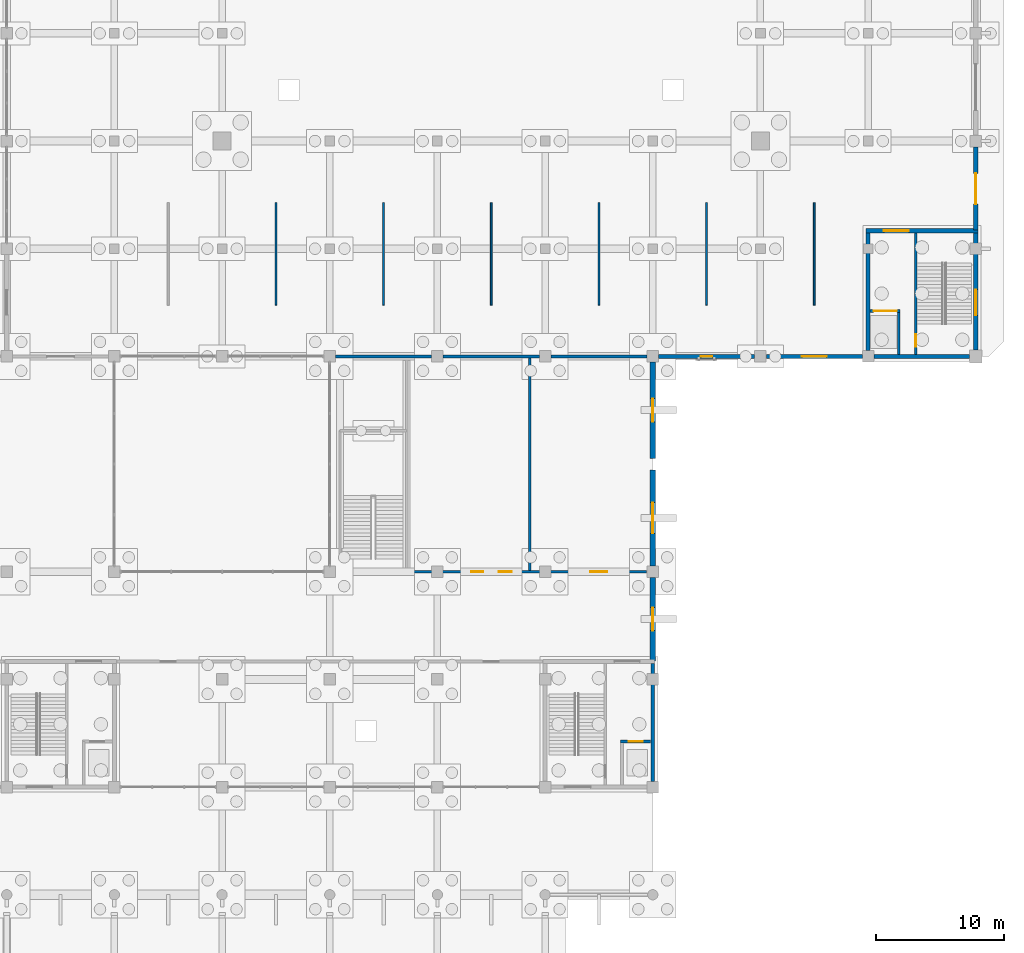
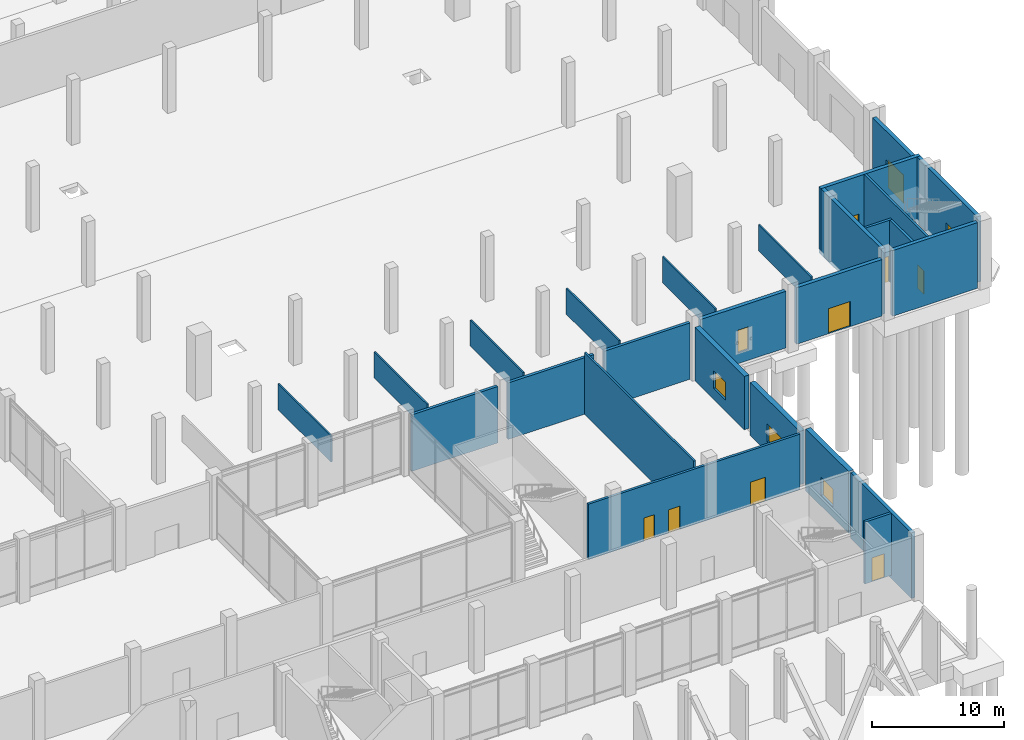
# One storey, part 58 of 72: 26 walls, 10 doors, 4 windows, 14 openings.
"""IFC4 building model written with IfcOpenShell, lengths in metres."""

from ifc_helpers import new_model, si_unit, direction, frame, frame_2d, origin, place, context, subcontext, project, spatial, rectangle, extrude, material, layer, layer_set, type_object, element, fill, save


model = new_model("IFC4")

# Units and contexts
model_context = context("Model", 3, precision=1e-05, world=origin(), true_north=direction((0.0, 1.0)))
body_context = subcontext(model_context, "Body", "Model", "MODEL_VIEW")
ifc_project = project(units=[si_unit("LENGTHUNIT", "METRE"), si_unit("AREAUNIT", "SQUARE_METRE"), si_unit("VOLUMEUNIT", "CUBIC_METRE"), si_unit("PLANEANGLEUNIT", "RADIAN"), si_unit("MASSUNIT", "GRAM", prefix="KILO")], contexts=[model_context])

# Site, building, storey
site_placement = place(None, origin())
site = spatial("IfcSite", under=ifc_project, at=site_placement, CompositionType="ELEMENT")
building_placement = place(site_placement, origin())
building = spatial("IfcBuilding", under=site, at=building_placement, Name="Qawsi Khor Wholesale Market", CompositionType="ELEMENT")
storey_placement = place(building_placement, origin())
storey = spatial("IfcBuildingStorey", under=building, at=storey_placement, Name="L00", CompositionType="ELEMENT", Elevation=0.0)

# Wall
ifc_material_1 = material(Name="Concrete C40/50", Category="concrete")
ifc_layer_1 = layer(ifc_material_1, 0.300048828125, Name="Concrete C40/50")
ifc_layer_set_1 = layer_set([ifc_layer_1], Name="Concrete C40/50")
wall_type_1 = type_object("IfcWallType", Name="Core Shear Wall RC 300 C40/50", PredefinedType="SHEAR", material=ifc_layer_set_1)
wall_1_placement = place(storey_placement, frame((193.199951171875, 18.050048828125, -0.360107421875), z_axis=(0.0, 0.0, 1.0), x_axis=(0.0, -1.0, 0.0)))
element("IfcWall", 1, at=wall_1_placement, inside=storey, type_object=wall_type_1, Name="Core C06 east shear wall L00", PredefinedType="SHEAR", context=body_context, shape_type="SweptSolid", body=[
    extrude(rectangle(XDim=9.195068359375, YDim=0.300048828125, at=frame_2d((4.59765625, 0.0))), origin(), (0.0, 0.0, 1.0), 6.080078125),
])

# Wall, openings, doors
ifc_material_2 = material(Name="Gypsum Fireboard on Steel Stud", Category="steel")
ifc_layer_2 = layer(ifc_material_2, 0.2099609375, Name="Gypsum Fireboard on Steel Stud")
ifc_layer_set_2 = layer_set([ifc_layer_2], Name="Gypsum Fireboard on Steel Stud")
wall_type_2 = type_object("IfcWallType", Name="Corridor Fire Partition Wall 210", PredefinedType="PARTITIONING", material=ifc_layer_set_2)
wall_2_placement = place(storey_placement, frame((174.199951171875, 25.199951171875, 0.0), z_axis=(0.0, 0.0, 1.0), x_axis=(1.0, 0.0, 0.0)))
wall_2 = element("IfcWall", 2, at=wall_2_placement, inside=storey, type_object=wall_type_2, Name="PW-L00-036", PredefinedType="PARTITIONING", context=body_context, shape_type="SweptSolid", body=[
    extrude(rectangle(XDim=18.5, YDim=0.2099609375, at=frame_2d((9.25, 0.0))), origin(), (0.0, 0.0, 1.0), 5.1298828125),
])
opening_1_placement = place(wall_2_placement, frame((4.840087890625, 0.0, 0.0)))
opening_1 = element("IfcOpeningElement", 3, at=opening_1_placement, cuts=wall_2, Name="Opening ID-11", PredefinedType="OPENING", context=body_context, shape_type="SweptSolid", body=[
    extrude(rectangle(XDim=0.919921875, YDim=2.139892578125, at=frame_2d((0.4599609375, 1.06982421875))), frame((0.0, 0.114990234375, 0.0), z_axis=(0.0, -1.0, 0.0), x_axis=(1.0, 0.0, 0.0)), (0.0, 0.0, 1.0), 0.22998046875),
])
opening_2_placement = place(wall_2_placement, frame((6.985107421875, 0.0, 0.0)))
opening_2 = element("IfcOpeningElement", 4, at=opening_2_placement, cuts=wall_2, Name="Opening ID-12", PredefinedType="OPENING", context=body_context, shape_type="SweptSolid", body=[
    extrude(rectangle(XDim=1.030029296875, YDim=2.14990234375, at=frame_2d((0.51513671875, 1.074951171875))), frame((0.0, 0.114990234375, 0.0), z_axis=(0.0, -1.0, 0.0), x_axis=(1.0, 0.0, 0.0)), (0.0, 0.0, 1.0), 0.22998046875),
])
opening_3_placement = place(wall_2_placement, frame((14.139892578125, 0.0, 0.0)))
opening_3 = element("IfcOpeningElement", 5, at=opening_3_placement, cuts=wall_2, Name="Opening ID-13", PredefinedType="OPENING", context=body_context, shape_type="SweptSolid", body=[
    extrude(rectangle(XDim=1.320068359375, YDim=2.199951171875, at=frame_2d((0.66015625, 1.10009765625))), frame((0.0, 0.114990234375, 0.0), z_axis=(0.0, -1.0, 0.0), x_axis=(1.0, 0.0, 0.0)), (0.0, 0.0, 1.0), 0.22998046875),
])
ifc_material_3 = material(Name="High-Pressure Laminate", Category="steel")
door_type_1 = type_object("IfcDoorType", Name="Accessible WC Door 1030x2150", OperationType="NOTDEFINED", PredefinedType="DOOR", material=ifc_material_3)
door_1_placement = place(opening_2_placement, origin())
door_1 = element("IfcDoor", 6, at=door_1_placement, inside=storey, type_object=door_type_1, Name="Accessible WC Door 1030x2150 L00-043", OperationType="SINGLE_SWING_RIGHT", OverallHeight=2.14990234375, OverallWidth=1.030029296875, PredefinedType="DOOR", context=body_context, shape_type="SweptSolid", body=[
    extrude(rectangle(XDim=1.030029296875, YDim=2.14990234375, at=frame_2d((0.51513671875, 1.074951171875))), frame((0.0, 0.02490234375, 0.0), z_axis=(0.0, -1.0, 0.0), x_axis=(1.0, 0.0, 0.0)), (0.0, 0.0, 1.0), 0.050048828125),
])
fill(opening_2, door_1)
ifc_material_4 = material(Name="Galvanised Steel Fire Door", Category="steel")
door_type_2 = type_object("IfcDoorType", Name="Plant & Riser Fire Door 1320x2200 FD90S", OperationType="NOTDEFINED", PredefinedType="DOOR", material=ifc_material_4)
door_2_placement = place(opening_3_placement, origin())
door_2 = element("IfcDoor", 7, at=door_2_placement, inside=storey, type_object=door_type_2, Name="Plant & Riser Fire Door 1320x2200 FD90S L00-044", OperationType="SINGLE_SWING_RIGHT", OverallHeight=2.199951171875, OverallWidth=1.320068359375, PredefinedType="DOOR", context=body_context, shape_type="SweptSolid", body=[
    extrude(rectangle(XDim=1.320068359375, YDim=2.199951171875, at=frame_2d((0.66015625, 1.10009765625))), frame((0.0, 0.02490234375, 0.0), z_axis=(0.0, -1.0, 0.0), x_axis=(1.0, 0.0, 0.0)), (0.0, 0.0, 1.0), 0.050048828125),
])
fill(opening_3, door_2)
door_type_3 = type_object("IfcDoorType", Name="Public Toilet Entrance Door 920x2140", OperationType="NOTDEFINED", PredefinedType="DOOR", material=ifc_material_3)
door_3_placement = place(opening_1_placement, origin())
door_3 = element("IfcDoor", 8, at=door_3_placement, inside=storey, type_object=door_type_3, Name="Public Toilet Entrance Door 920x2140 L00-042", OperationType="SINGLE_SWING_LEFT", OverallHeight=2.139892578125, OverallWidth=0.919921875, PredefinedType="DOOR", context=body_context, shape_type="SweptSolid", body=[
    extrude(rectangle(XDim=0.919921875, YDim=2.139892578125, at=frame_2d((0.4599609375, 1.06982421875))), frame((0.0, 0.02490234375, 0.0), z_axis=(0.0, -1.0, 0.0), x_axis=(1.0, 0.0, 0.0)), (0.0, 0.0, 1.0), 0.050048828125),
])
fill(opening_1, door_3)

# Walls
ifc_material_5 = material(Name="Concrete Blockwork & Plaster", Category="masonry")
ifc_layer_3 = layer(ifc_material_5, 0.25, Name="Concrete Blockwork & Plaster")
ifc_layer_set_3 = layer_set([ifc_layer_3], Name="Concrete Blockwork & Plaster")
wall_type_3 = type_object("IfcWallType", Name="Fire Compartment Masonry Wall 250", PredefinedType="SOLIDWALL", material=ifc_layer_set_3)
for number, where, z_axis, x_axis, name in (
    (9, (168.449951171875, 42.0, 0.0), (0.0, 0.0, 1.0), (1.0, 0.0, 0.0), "Grid F fire compartment wall L00-20"),
    (10, (176.85009765625, 42.0, 0.0), (0.0, 0.0, 1.0), (1.0, 0.0, 0.0), "Grid F fire compartment wall L00-21"),
    (11, (185.25, 42.0, 0.0), (0.0, 0.0, 1.0), (1.0, 0.0, 0.0), "Grid F fire compartment wall L00-22"),
):
    element("IfcWall", number, at=place(storey_placement, frame(where, z_axis=z_axis, x_axis=x_axis)), inside=storey, type_object=wall_type_3, Name=name, PredefinedType="SOLIDWALL", context=body_context, shape_type="SweptSolid", body=[
        extrude(rectangle(XDim=7.5, YDim=0.25, at=frame_2d((3.75, 0.0))), origin(), (0.0, 0.0, 1.0), 5.219970703125),
    ])

# Wall, opening, door
ifc_layer_4 = layer(ifc_material_1, 0.330078125, Name="Concrete C40/50")
ifc_layer_set_4 = layer_set([ifc_layer_4], Name="Concrete C40/50")
wall_type_4 = type_object("IfcWallType", Name="Fish Hall Precast Insulated Wall 330", PredefinedType="SOLIDWALL", material=ifc_layer_set_4)
wall_3_placement = place(storey_placement, frame((218.39990234375, 58.344970703125, 0.0), z_axis=(0.0, 0.0, 1.0), x_axis=(0.0, -1.0, 0.0)))
wall_3 = element("IfcWall", 12, at=wall_3_placement, inside=storey, type_object=wall_type_4, Name="EW-L00-EHE-06", PredefinedType="SOLIDWALL", context=body_context, shape_type="SweptSolid", body=[
    extrude(rectangle(XDim=6.494873046875, YDim=0.330078125, at=frame_2d((3.24755859375, 0.0))), origin(), (0.0, 0.0, 1.0), 5.280029296875),
])
opening_4_placement = place(wall_3_placement, frame((2.06005859375, 0.0, 0.0)))
opening_4 = element("IfcOpeningElement", 13, at=opening_4_placement, cuts=wall_3, Name="Opening ED-01", PredefinedType="OPENING", context=body_context, shape_type="SweptSolid", body=[
    extrude(rectangle(XDim=2.39990234375, YDim=2.60009765625, at=frame_2d((1.199951171875, 1.300048828125))), frame((0.0, 0.175048828125, 0.0), z_axis=(0.0, -1.0, 0.0), x_axis=(1.0, 0.0, 0.0)), (0.0, 0.0, 1.0), 0.35009765625),
])
ifc_material_6 = material(Name="Powder-Coated Galvanised Steel & Glazing", Category="steel")
door_type_4 = type_object("IfcDoorType", Name="Main Boulevard Entrance Double Door 2400x2600", OperationType="NOTDEFINED", PredefinedType="DOOR", material=ifc_material_6)
door_4_placement = place(opening_4_placement, origin())
door_4 = element("IfcDoor", 14, at=door_4_placement, inside=storey, type_object=door_type_4, Name="Fish Hall East Exit 6", OperationType="DOUBLE_DOOR_SINGLE_SWING", OverallHeight=2.60009765625, OverallWidth=2.39990234375, PredefinedType="DOOR", context=body_context, shape_type="SweptSolid", body=[
    extrude(rectangle(XDim=2.39990234375, YDim=2.60009765625, at=frame_2d((1.199951171875, 1.300048828125))), frame((0.0, 0.02490234375, 0.0), z_axis=(0.0, -1.0, 0.0), x_axis=(1.0, 0.0, 0.0)), (0.0, 0.0, 1.0), 0.050048828125),
])
fill(opening_4, door_4)

# Wall, opening, window
wall_4_placement = place(storey_placement, frame((201.14501953125, 42.0, 0.0), z_axis=(0.0, 0.0, 1.0), x_axis=(-1.0, 0.0, 0.0)))
wall_4 = element("IfcWall", 15, at=wall_4_placement, inside=storey, type_object=wall_type_4, Name="EW-L00-EHS-23", PredefinedType="SOLIDWALL", context=body_context, shape_type="SweptSolid", body=[
    extrude(rectangle(XDim=7.489990234375, YDim=0.330078125, at=frame_2d((3.7451171875, 0.0))), origin(), (0.0, 0.0, 1.0), 5.22998046875),
])
opening_5_placement = place(wall_4_placement, frame((3.294921875, 0.0, 1.0)))
opening_5 = element("IfcOpeningElement", 16, at=opening_5_placement, cuts=wall_4, Name="Opening W-02", PredefinedType="OPENING", context=body_context, shape_type="SweptSolid", body=[
    extrude(rectangle(XDim=0.89990234375, YDim=2.10009765625, at=frame_2d((0.449951171875, 1.050048828125))), frame((0.0, 0.175048828125, 0.0), z_axis=(0.0, -1.0, 0.0), x_axis=(1.0, 0.0, 0.0)), (0.0, 0.0, 1.0), 0.35009765625),
])
ifc_material_7 = material(Name="Thermally Broken Aluminium & Low-E Glass", Category="aluminium")
window_type_1 = type_object("IfcWindowType", Name="Win W-02 Deep-Set Narrow 900x2100", PartitioningType="SINGLE_PANEL", PredefinedType="WINDOW", material=ifc_material_7)
window_1_placement = place(opening_5_placement, origin())
window_1 = element("IfcWindow", 17, at=window_1_placement, inside=storey, type_object=window_type_1, Name="Win W-02 Deep-Set Narrow 900x2100 180", OverallHeight=2.10009765625, OverallWidth=0.89990234375, PartitioningType="SINGLE_PANEL", PredefinedType="WINDOW", context=body_context, shape_type="SweptSolid", body=[
    extrude(rectangle(XDim=0.89990234375, YDim=2.10009765625, at=frame_2d((0.449951171875, 1.050048828125))), frame((0.0, 0.030029296875, 0.0), z_axis=(0.0, -1.0, 0.0), x_axis=(1.0, 0.0, 0.0)), (0.0, 0.0, 1.0), 0.06005859375),
])
fill(opening_5, window_1)

# Wall, opening, door
wall_5_placement = place(storey_placement, frame((209.544921875, 42.0, 0.0), z_axis=(0.0, 0.0, 1.0), x_axis=(-1.0, 0.0, 0.0)))
wall_5 = element("IfcWall", 18, at=wall_5_placement, inside=storey, type_object=wall_type_4, Name="EW-L00-EHS-24", PredefinedType="SOLIDWALL", context=body_context, shape_type="SweptSolid", body=[
    extrude(rectangle(XDim=7.489990234375, YDim=0.330078125, at=frame_2d((3.7451171875, 0.0))), origin(), (0.0, 0.0, 1.0), 5.22998046875),
])
opening_6_placement = place(wall_5_placement, frame((2.784912109375, 0.0, 0.0)))
opening_6 = element("IfcOpeningElement", 19, at=opening_6_placement, cuts=wall_5, Name="Opening ED-07", PredefinedType="OPENING", context=body_context, shape_type="SweptSolid", body=[
    extrude(rectangle(XDim=1.919921875, YDim=2.320068359375, at=frame_2d((0.9599609375, 1.16015625))), frame((0.0, 0.175048828125, 0.0), z_axis=(0.0, -1.0, 0.0), x_axis=(1.0, 0.0, 0.0)), (0.0, 0.0, 1.0), 0.35009765625),
])
door_type_5 = type_object("IfcDoorType", Name="Hall Ground Personnel Exit Door 1920x2320 FD60S", OperationType="NOTDEFINED", PredefinedType="DOOR", material=ifc_material_6)
door_5_placement = place(opening_6_placement, origin())
door_5 = element("IfcDoor", 20, at=door_5_placement, inside=storey, type_object=door_type_5, Name="East Hall South Exit", OperationType="DOUBLE_DOOR_SINGLE_SWING", OverallHeight=2.320068359375, OverallWidth=1.919921875, PredefinedType="DOOR", context=body_context, shape_type="SweptSolid", body=[
    extrude(rectangle(XDim=1.919921875, YDim=2.320068359375, at=frame_2d((0.9599609375, 1.16015625))), frame((0.0, 0.02490234375, 0.0), z_axis=(0.0, -1.0, 0.0), x_axis=(1.0, 0.0, 0.0)), (0.0, 0.0, 1.0), 0.050048828125),
])
fill(opening_6, door_5)

# Walls
ifc_layer_5 = layer(ifc_material_1, 0.320068359375, Name="Concrete C40/50")
ifc_layer_set_5 = layer_set([ifc_layer_5], Name="Concrete C40/50")
wall_type_5 = type_object("IfcWallType", Name="Hall Lateral Shear Wall RC 320 C40/50", PredefinedType="SHEAR", material=ifc_layer_set_5)
wall_6_placement = place(storey_placement, frame((217.89501953125, 42.0, -0.360107421875), z_axis=(0.0, 0.0, 1.0), x_axis=(-1.0, 0.0, 0.0)))
element("IfcWall", 21, at=wall_6_placement, inside=storey, type_object=wall_type_5, Name="Core C11 south shear wall L00", PredefinedType="SHEAR", context=body_context, shape_type="SweptSolid", body=[
    extrude(rectangle(XDim=7.43994140625, YDim=0.320068359375, at=frame_2d((3.719970703125, 0.0))), origin(), (0.0, 0.0, 1.0), 6.080078125),
])
wall_7_placement = place(storey_placement, frame((210.0, 42.455078125, -0.360107421875), z_axis=(0.0, 0.0, 1.0), x_axis=(0.0, 1.0, 0.0)))
element("IfcWall", 22, at=wall_7_placement, inside=storey, type_object=wall_type_5, Name="Core C11 west shear wall L00", PredefinedType="SHEAR", context=body_context, shape_type="SweptSolid", body=[
    extrude(rectangle(XDim=9.184814453125, YDim=0.320068359375, at=frame_2d((4.59228515625, 0.0))), origin(), (0.0, 0.0, 1.0), 6.080078125),
])

# Wall, opening, door
wall_8_placement = place(storey_placement, frame((209.840087890625, 51.800048828125, -0.360107421875), z_axis=(0.0, 0.0, 1.0), x_axis=(1.0, 0.0, 0.0)))
wall_8 = element("IfcWall", 23, at=wall_8_placement, inside=storey, type_object=wall_type_5, Name="Core C11 north shear wall L00", PredefinedType="SHEAR", context=body_context, shape_type="SweptSolid", body=[
    extrude(rectangle(XDim=8.719970703125, YDim=0.320068359375, at=frame_2d((4.35986328125, 0.0))), origin(), (0.0, 0.0, 1.0), 6.080078125),
])
opening_7_placement = place(wall_8_placement, frame((1.3798828125, 0.0, 0.360107421875)))
opening_7 = element("IfcOpeningElement", 24, at=opening_7_placement, cuts=wall_8, Name="Opening ID-01", PredefinedType="OPENING", context=body_context, shape_type="SweptSolid", body=[
    extrude(rectangle(XDim=1.9599609375, YDim=2.199951171875, at=frame_2d((0.97998046875, 1.10009765625))), frame((0.0, 0.169921875, 0.0), z_axis=(0.0, -1.0, 0.0), x_axis=(1.0, 0.0, 0.0)), (0.0, 0.0, 1.0), 0.340087890625),
])
ifc_material_8 = material(Name="Steel Fire Door", Category="steel")
door_type_6 = type_object("IfcDoorType", Name="Stair & Core Fire Door 1960x2200 FD90S", OperationType="NOTDEFINED", PredefinedType="DOOR", material=ifc_material_8)
door_6_placement = place(opening_7_placement, origin())
door_6 = element("IfcDoor", 25, at=door_6_placement, inside=storey, type_object=door_type_6, Name="Core C11 fire door L00", OperationType="DOUBLE_DOOR_SINGLE_SWING", OverallHeight=2.199951171875, OverallWidth=1.9599609375, PredefinedType="DOOR", context=body_context, shape_type="SweptSolid", body=[
    extrude(rectangle(XDim=1.9599609375, YDim=2.199951171875, at=frame_2d((0.97998046875, 1.10009765625))), frame((0.0, 0.02490234375, 0.0), z_axis=(0.0, -1.0, 0.0), x_axis=(1.0, 0.0, 0.0)), (0.0, 0.0, 1.0), 0.050048828125),
])
fill(opening_7, door_6)

wall_9_placement = place(storey_placement, frame((218.39990234375, 51.639892578125, -0.360107421875), z_axis=(0.0, 0.0, 1.0), x_axis=(0.0, -1.0, 0.0)))
wall_9 = element("IfcWall", 26, at=wall_9_placement, inside=storey, type_object=wall_type_5, Name="Core C11 east shear wall L00", PredefinedType="SHEAR", context=body_context, shape_type="SweptSolid", body=[
    extrude(rectangle(XDim=9.135009765625, YDim=0.320068359375, at=frame_2d((4.5673828125, 0.0))), origin(), (0.0, 0.0, 1.0), 6.080078125),
])
opening_8_placement = place(wall_9_placement, frame((4.43994140625, 0.0, 0.360107421875)))
opening_8 = element("IfcOpeningElement", 27, at=opening_8_placement, cuts=wall_9, Name="Opening ED-06", PredefinedType="OPENING", context=body_context, shape_type="SweptSolid", body=[
    extrude(rectangle(XDim=2.0, YDim=2.280029296875, at=frame_2d((1.0, 1.14013671875))), frame((0.0, 0.169921875, 0.0), z_axis=(0.0, -1.0, 0.0), x_axis=(1.0, 0.0, 0.0)), (0.0, 0.0, 1.0), 0.340087890625),
])
door_type_7 = type_object("IfcDoorType", Name="Final Exit Stair Discharge Door 2000x2280 FD120S", OperationType="NOTDEFINED", PredefinedType="DOOR", material=ifc_material_6)
door_7_placement = place(opening_8_placement, origin())
door_7 = element("IfcDoor", 28, at=door_7_placement, inside=storey, type_object=door_type_7, Name="Final exit stair discharge door ST-11", OperationType="DOUBLE_DOOR_SINGLE_SWING", OverallHeight=2.280029296875, OverallWidth=2.0, PredefinedType="DOOR", context=body_context, shape_type="SweptSolid", body=[
    extrude(rectangle(XDim=2.0, YDim=2.280029296875, at=frame_2d((1.0, 1.14013671875))), frame((0.0, 0.02490234375, 0.0), z_axis=(0.0, -1.0, 0.0), x_axis=(1.0, 0.0, 0.0)), (0.0, 0.0, 1.0), 0.050048828125),
])
fill(opening_8, door_7)

ifc_layer_6 = layer(ifc_material_1, 0.219970703125, Name="Concrete C40/50")
ifc_layer_set_6 = layer_set([ifc_layer_6], Name="Concrete C40/50")
wall_type_6 = type_object("IfcWallType", Name="Lift & Stair Shaft Wall RC 220", PredefinedType="SOLIDWALL", material=ifc_layer_set_6)
wall_10_placement = place(storey_placement, frame((190.699951171875, 11.949951171875, 0.0), z_axis=(0.0, 0.0, 1.0), x_axis=(1.0, 0.0, 0.0)))
wall_10 = element("IfcWall", 29, at=wall_10_placement, inside=storey, type_object=wall_type_6, Name="Lift PL-04 shaft wall N L00", PredefinedType="SOLIDWALL", context=body_context, shape_type="SweptSolid", body=[
    extrude(rectangle(XDim=2.340087890625, YDim=0.219970703125, at=frame_2d((1.169921875, 0.0))), origin(), (0.0, 0.0, 1.0), 5.719970703125),
])
opening_9_placement = place(wall_10_placement, frame((0.6201171875, 0.0, 0.0)))
opening_9 = element("IfcOpeningElement", 30, at=opening_9_placement, cuts=wall_10, Name="Opening LD-P110", PredefinedType="OPENING", context=body_context, shape_type="SweptSolid", body=[
    extrude(rectangle(XDim=1.10009765625, YDim=2.199951171875, at=frame_2d((0.550048828125, 1.10009765625))), frame((0.0, 0.119873046875, 0.0), z_axis=(0.0, -1.0, 0.0), x_axis=(1.0, 0.0, 0.0)), (0.0, 0.0, 1.0), 0.239990234375),
])
ifc_material_9 = material(Name="Brushed Stainless Steel", Category="steel")
door_type_8 = type_object("IfcDoorType", Name="Passenger Lift Landing Sliding Door 1100x2200 FD90S", OperationType="NOTDEFINED", PredefinedType="DOOR", material=ifc_material_9)
door_8_placement = place(opening_9_placement, origin())
door_8 = element("IfcDoor", 31, at=door_8_placement, inside=storey, type_object=door_type_8, Name="Lift PL-04 landing door L00", OperationType="SLIDING_TO_LEFT", OverallHeight=2.199951171875, OverallWidth=1.10009765625, PredefinedType="DOOR", context=body_context, shape_type="SweptSolid", body=[
    extrude(rectangle(XDim=1.10009765625, YDim=2.199951171875, at=frame_2d((0.550048828125, 1.10009765625))), frame((0.0, 0.02490234375, 0.0), z_axis=(0.0, -1.0, 0.0), x_axis=(1.0, 0.0, 0.0)), (0.0, 0.0, 1.0), 0.050048828125),
])
fill(opening_9, door_8)

# Wall
wall_11_placement = place(storey_placement, frame((212.389892578125, 42.159912109375, 0.0), z_axis=(0.0, 0.0, 1.0), x_axis=(0.0, 1.0, 0.0)))
element("IfcWall", 32, at=wall_11_placement, inside=storey, type_object=wall_type_6, Name="Lift GL-03 shaft wall E L00", PredefinedType="SOLIDWALL", context=body_context, shape_type="SweptSolid", body=[
    extrude(rectangle(XDim=3.39013671875, YDim=0.219970703125, at=frame_2d((1.695068359375, 0.0))), origin(), (0.0, 0.0, 1.0), 5.719970703125),
])

# Wall, opening, door
wall_12_placement = place(storey_placement, frame((210.159912109375, 45.550048828125, 0.0), z_axis=(0.0, 0.0, 1.0), x_axis=(1.0, 0.0, 0.0)))
wall_12 = element("IfcWall", 33, at=wall_12_placement, inside=storey, type_object=wall_type_6, Name="Lift GL-03 shaft wall N L00", PredefinedType="SOLIDWALL", context=body_context, shape_type="SweptSolid", body=[
    extrude(rectangle(XDim=2.340087890625, YDim=0.219970703125, at=frame_2d((1.169921875, 0.0))), origin(), (0.0, 0.0, 1.0), 5.719970703125),
])
opening_10_placement = place(wall_12_placement, frame((0.260009765625, 0.0, 0.0)))
opening_10 = element("IfcOpeningElement", 34, at=opening_10_placement, cuts=wall_12, Name="Opening LD-G180", PredefinedType="OPENING", context=body_context, shape_type="SweptSolid", body=[
    extrude(rectangle(XDim=1.820068359375, YDim=2.39990234375, at=frame_2d((0.91015625, 1.199951171875))), frame((0.0, 0.119873046875, 0.0), z_axis=(0.0, -1.0, 0.0), x_axis=(1.0, 0.0, 0.0)), (0.0, 0.0, 1.0), 0.239990234375),
])
ifc_material_10 = material(Name="Heavy-Duty Stainless Steel", Category="steel")
door_type_9 = type_object("IfcDoorType", Name="Goods Lift Landing Sliding Door 1820x2400 FD90S", OperationType="NOTDEFINED", PredefinedType="DOOR", material=ifc_material_10)
door_9_placement = place(opening_10_placement, origin())
door_9 = element("IfcDoor", 35, at=door_9_placement, inside=storey, type_object=door_type_9, Name="Lift GL-03 landing door L00", OperationType="SLIDING_TO_LEFT", OverallHeight=2.39990234375, OverallWidth=1.820068359375, PredefinedType="DOOR", context=body_context, shape_type="SweptSolid", body=[
    extrude(rectangle(XDim=1.820068359375, YDim=2.39990234375, at=frame_2d((0.91015625, 1.199951171875))), frame((0.0, 0.02490234375, 0.0), z_axis=(0.0, -1.0, 0.0), x_axis=(1.0, 0.0, 0.0)), (0.0, 0.0, 1.0), 0.050048828125),
])
fill(opening_10, door_9)

# Walls
ifc_material_11 = material(Name="Precast Terrazzo Concrete C40/50", Category="concrete")
ifc_layer_7 = layer(ifc_material_11, 0.135009765625, Name="Precast Terrazzo Concrete C40/50")
ifc_layer_set_7 = layer_set([ifc_layer_7], Name="Precast Terrazzo Concrete C40/50")
wall_type_7 = type_object("IfcWallType", Name="Market Stall Low Divider Wall 135", PredefinedType="PARTITIONING", material=ifc_layer_set_7)
for number, where, z_axis, x_axis, name in (
    (36, (163.800048828125, 46.0, 0.0), (0.0, 0.0, 1.0), (0.0, 1.0, 0.0), "PW-L00-012"),
    (37, (172.199951171875, 46.0, 0.0), (0.0, 0.0, 1.0), (0.0, 1.0, 0.0), "PW-L00-014"),
    (38, (180.60009765625, 46.0, 0.0), (0.0, 0.0, 1.0), (0.0, 1.0, 0.0), "PW-L00-016"),
    (39, (189.0, 46.0, 0.0), (0.0, 0.0, 1.0), (0.0, 1.0, 0.0), "PW-L00-018"),
    (40, (197.39990234375, 46.0, 0.0), (0.0, 0.0, 1.0), (0.0, 1.0, 0.0), "PW-L00-020"),
    (41, (205.800048828125, 46.0, 0.0), (0.0, 0.0, 1.0), (0.0, 1.0, 0.0), "PW-L00-022"),
):
    element("IfcWall", number, at=place(storey_placement, frame(where, z_axis=z_axis, x_axis=x_axis)), inside=storey, type_object=wall_type_7, Name=name, PredefinedType="PARTITIONING", context=body_context, shape_type="SweptSolid", body=[
        extrude(rectangle(XDim=8.0, YDim=0.135009765625, at=frame_2d((4.0, 0.0))), origin(), (0.0, 0.0, 1.0), 2.39990234375),
    ])

# Wall, opening, window
ifc_layer_8 = layer(ifc_material_1, 0.429931640625, Name="Concrete C40/50")
ifc_layer_set_8 = layer_set([ifc_layer_8], Name="Concrete C40/50")
wall_type_8 = type_object("IfcWallType", Name="Sculpted Ribbed Concrete Facade Wall 430", PredefinedType="SOLIDWALL", material=ifc_layer_set_8)
wall_13_placement = place(storey_placement, frame((193.199951171875, 24.7451171875, 0.0), z_axis=(0.0, 0.0, 1.0), x_axis=(0.0, -1.0, 0.0)))
wall_13 = element("IfcWall", 42, at=wall_13_placement, inside=storey, type_object=wall_type_8, Name="EW-L00-SWE-2", PredefinedType="SOLIDWALL", context=body_context, shape_type="SweptSolid", body=[
    extrude(rectangle(XDim=6.4951171875, YDim=0.429931640625, at=frame_2d((3.24755859375, 0.0))), origin(), (0.0, 0.0, 1.0), 5.719970703125),
])
opening_11_placement = place(wall_13_placement, frame((2.344970703125, 0.0, 1.0)))
opening_11 = element("IfcOpeningElement", 43, at=opening_11_placement, cuts=wall_13, Name="Opening W-05", PredefinedType="OPENING", context=body_context, shape_type="SweptSolid", body=[
    extrude(rectangle(XDim=1.800048828125, YDim=1.64990234375, at=frame_2d((0.89990234375, 0.824951171875))), frame((0.0, 0.224853515625, 0.0), z_axis=(0.0, -1.0, 0.0), x_axis=(1.0, 0.0, 0.0)), (0.0, 0.0, 1.0), 0.449951171875),
])
window_type_2 = type_object("IfcWindowType", Name="Win W-05 Traders Office Double 1800x1650", PartitioningType="SINGLE_PANEL", PredefinedType="WINDOW", material=ifc_material_7)
window_2_placement = place(opening_11_placement, origin())
window_2 = element("IfcWindow", 44, at=window_2_placement, inside=storey, type_object=window_type_2, Name="Win W-05 Traders Office Double 1800x1650 108", OverallHeight=1.64990234375, OverallWidth=1.800048828125, PartitioningType="SINGLE_PANEL", PredefinedType="WINDOW", context=body_context, shape_type="SweptSolid", body=[
    extrude(rectangle(XDim=1.800048828125, YDim=1.64990234375, at=frame_2d((0.89990234375, 0.824951171875))), frame((0.0, 0.030029296875, 0.0), z_axis=(0.0, -1.0, 0.0), x_axis=(1.0, 0.0, 0.0)), (0.0, 0.0, 1.0), 0.06005859375),
])
fill(opening_11, window_2)

wall_14_placement = place(storey_placement, frame((193.199951171875, 33.14990234375, 0.0), z_axis=(0.0, 0.0, 1.0), x_axis=(0.0, -1.0, 0.0)))
wall_14 = element("IfcWall", 45, at=wall_14_placement, inside=storey, type_object=wall_type_8, Name="EW-L00-SWE-3", PredefinedType="SOLIDWALL", context=body_context, shape_type="SweptSolid", body=[
    extrude(rectangle(XDim=7.494873046875, YDim=0.429931640625, at=frame_2d((3.74755859375, 0.0))), origin(), (0.0, 0.0, 1.0), 4.929931640625),
])
opening_12_placement = place(wall_14_placement, frame((2.550048828125, 0.0, 1.0)))
opening_12 = element("IfcOpeningElement", 46, at=opening_12_placement, cuts=wall_14, Name="Opening W-06", PredefinedType="OPENING", context=body_context, shape_type="SweptSolid", body=[
    extrude(rectangle(XDim=2.39990234375, YDim=1.64990234375, at=frame_2d((1.199951171875, 0.824951171875))), frame((0.0, 0.224853515625, 0.0), z_axis=(0.0, -1.0, 0.0), x_axis=(1.0, 0.0, 0.0)), (0.0, 0.0, 1.0), 0.449951171875),
])
window_type_3 = type_object("IfcWindowType", Name="Win W-06 Traders Office Triple 2400x1650", PartitioningType="SINGLE_PANEL", PredefinedType="WINDOW", material=ifc_material_7)
window_3_placement = place(opening_12_placement, origin())
window_3 = element("IfcWindow", 47, at=window_3_placement, inside=storey, type_object=window_type_3, Name="Win W-06 Traders Office Triple 2400x1650 109", OverallHeight=1.64990234375, OverallWidth=2.39990234375, PartitioningType="SINGLE_PANEL", PredefinedType="WINDOW", context=body_context, shape_type="SweptSolid", body=[
    extrude(rectangle(XDim=2.39990234375, YDim=1.64990234375, at=frame_2d((1.199951171875, 0.824951171875))), frame((0.0, 0.030029296875, 0.0), z_axis=(0.0, -1.0, 0.0), x_axis=(1.0, 0.0, 0.0)), (0.0, 0.0, 1.0), 0.06005859375),
])
fill(opening_12, window_3)

wall_15_placement = place(storey_placement, frame((193.199951171875, 41.544921875, 0.0), z_axis=(0.0, 0.0, 1.0), x_axis=(0.0, -1.0, 0.0)))
wall_15 = element("IfcWall", 48, at=wall_15_placement, inside=storey, type_object=wall_type_8, Name="EW-L00-SWE-4", PredefinedType="SOLIDWALL", context=body_context, shape_type="SweptSolid", body=[
    extrude(rectangle(XDim=7.494873046875, YDim=0.429931640625, at=frame_2d((3.74755859375, 0.0))), origin(), (0.0, 0.0, 1.0), 4.929931640625),
])
opening_13_placement = place(wall_15_placement, frame((2.844970703125, 0.0, 1.0)))
opening_13 = element("IfcOpeningElement", 49, at=opening_13_placement, cuts=wall_15, Name="Opening W-05", PredefinedType="OPENING", context=body_context, shape_type="SweptSolid", body=[
    extrude(rectangle(XDim=1.800048828125, YDim=1.64990234375, at=frame_2d((0.89990234375, 0.824951171875))), frame((0.0, 0.224853515625, 0.0), z_axis=(0.0, -1.0, 0.0), x_axis=(1.0, 0.0, 0.0)), (0.0, 0.0, 1.0), 0.449951171875),
])
window_4_placement = place(opening_13_placement, origin())
window_4 = element("IfcWindow", 50, at=window_4_placement, inside=storey, type_object=window_type_2, Name="Win W-05 Traders Office Double 1800x1650 110", OverallHeight=1.64990234375, OverallWidth=1.800048828125, PartitioningType="SINGLE_PANEL", PredefinedType="WINDOW", context=body_context, shape_type="SweptSolid", body=[
    extrude(rectangle(XDim=1.800048828125, YDim=1.64990234375, at=frame_2d((0.89990234375, 0.824951171875))), frame((0.0, 0.030029296875, 0.0), z_axis=(0.0, -1.0, 0.0), x_axis=(1.0, 0.0, 0.0)), (0.0, 0.0, 1.0), 0.06005859375),
])
fill(opening_13, window_4)

# Wall, opening, door
ifc_layer_9 = layer(ifc_material_1, 0.18994140625, Name="Concrete C40/50")
ifc_layer_set_9 = layer_set([ifc_layer_9], Name="Concrete C40/50")
wall_type_9 = type_object("IfcWallType", Name="Stairwell Enclosure Wall RC 190", PredefinedType="SOLIDWALL", material=ifc_layer_set_9)
wall_16_placement = place(storey_placement, frame((213.719970703125, 42.159912109375, -0.360107421875), z_axis=(0.0, 0.0, 1.0), x_axis=(0.0, 1.0, 0.0)))
wall_16 = element("IfcWall", 51, at=wall_16_placement, inside=storey, type_object=wall_type_9, Name="Core C11 stairwell enclosure wall L00", PredefinedType="SOLIDWALL", context=body_context, shape_type="SweptSolid", body=[
    extrude(rectangle(XDim=9.47998046875, YDim=0.18994140625, at=frame_2d((4.739990234375, 0.0))), origin(), (0.0, 0.0, 1.0), 6.080078125),
])
opening_14_placement = place(wall_16_placement, frame((0.580078125, 0.0, 0.360107421875)))
opening_14 = element("IfcOpeningElement", 52, at=opening_14_placement, cuts=wall_16, Name="Opening ID-17", PredefinedType="OPENING", context=body_context, shape_type="SweptSolid", body=[
    extrude(rectangle(XDim=0.97998046875, YDim=2.14990234375, at=frame_2d((0.489990234375, 1.074951171875))), frame((0.0, 0.10498046875, 0.0), z_axis=(0.0, -1.0, 0.0), x_axis=(1.0, 0.0, 0.0)), (0.0, 0.0, 1.0), 0.2099609375),
])
door_type_10 = type_object("IfcDoorType", Name="Core Stair Lobby Fire Door 980x2150 FD120S", OperationType="NOTDEFINED", PredefinedType="DOOR", material=ifc_material_8)
door_10_placement = place(opening_14_placement, origin())
door_10 = element("IfcDoor", 53, at=door_10_placement, inside=storey, type_object=door_type_10, Name="Core C11 stair enclosure fire door L00", OperationType="SINGLE_SWING_RIGHT", OverallHeight=2.14990234375, OverallWidth=0.97998046875, PredefinedType="DOOR", context=body_context, shape_type="SweptSolid", body=[
    extrude(rectangle(XDim=0.97998046875, YDim=2.14990234375, at=frame_2d((0.489990234375, 1.074951171875))), frame((0.0, 0.02490234375, 0.0), z_axis=(0.0, -1.0, 0.0), x_axis=(1.0, 0.0, 0.0)), (0.0, 0.0, 1.0), 0.050048828125),
])
fill(opening_14, door_10)

# Wall
ifc_material_12 = material(Name="Cementitious Tile Backer Board", Category="gypsum")
ifc_layer_10 = layer(ifc_material_12, 0.1650390625, Name="Cementitious Tile Backer Board")
ifc_layer_set_10 = layer_set([ifc_layer_10], Name="Cementitious Tile Backer Board")
wall_type_10 = type_object("IfcWallType", Name="Wet-Area Tile-Backed Partition 165", PredefinedType="PARTITIONING", material=ifc_layer_set_10)
wall_17_placement = place(storey_placement, frame((183.60009765625, 25.304931640625, 0.0), z_axis=(0.0, 0.0, 1.0), x_axis=(0.0, 1.0, 0.0)))
element("IfcWall", 54, at=wall_17_placement, inside=storey, type_object=wall_type_10, Name="PW-L00-038", PredefinedType="PARTITIONING", context=body_context, shape_type="SweptSolid", body=[
    extrude(rectangle(XDim=16.570068359375, YDim=0.1650390625, at=frame_2d((8.28515625, 0.0))), origin(), (0.0, 0.0, 1.0), 5.719970703125),
])

save(model, "model.ifc")
